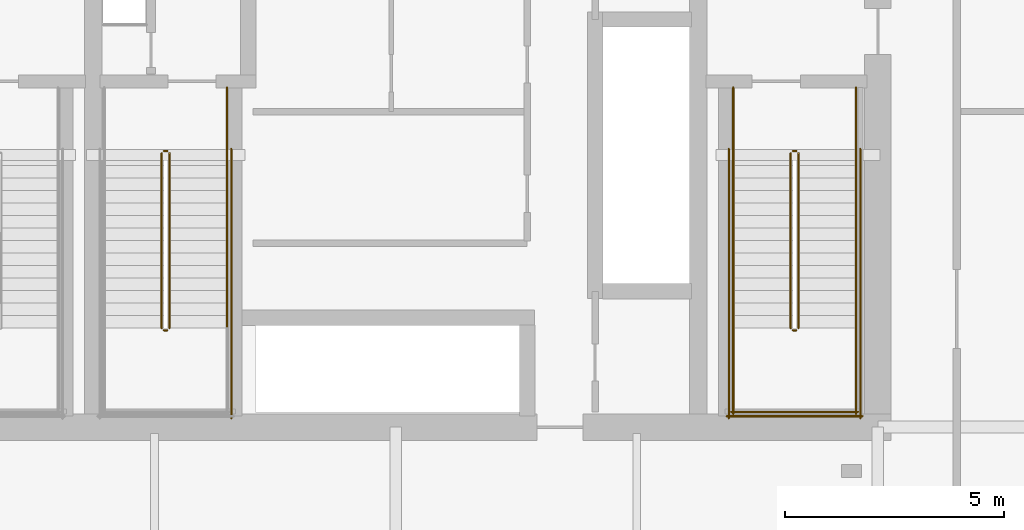
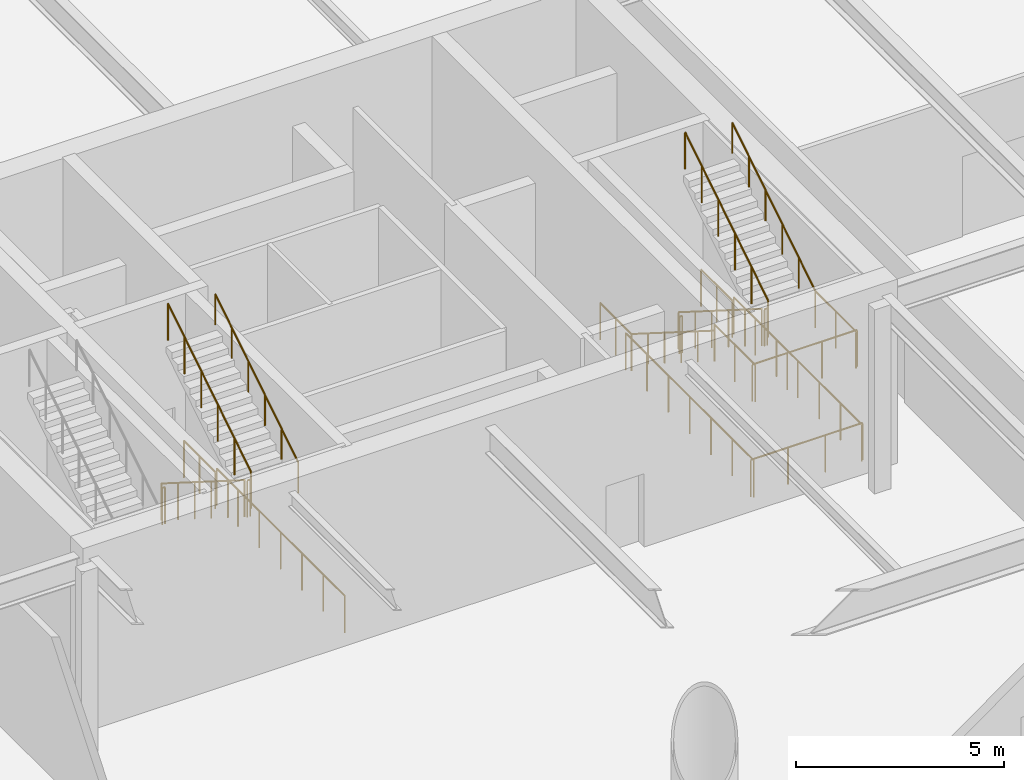
# One storey, part 13 of 16: 21 railings.
"""IFC4 building model written with IfcOpenShell, lengths in metres."""

from ifc_helpers import new_model, si_unit, direction, frame, origin, origin_2d, place, context, subcontext, project, spatial, circle, extrude, material, type_object, element, save


model = new_model("IFC4")

# Units and contexts
model_context = context("Model", 3, precision=1e-05, world=origin(), true_north=direction((0.0, 1.0)))
body_context = subcontext(model_context, "Body", "Model", "MODEL_VIEW")
ifc_project = project(units=[si_unit("LENGTHUNIT", "METRE"), si_unit("AREAUNIT", "SQUARE_METRE"), si_unit("VOLUMEUNIT", "CUBIC_METRE"), si_unit("PLANEANGLEUNIT", "RADIAN"), si_unit("MASSUNIT", "GRAM", prefix="KILO")], contexts=[model_context])

# Site, building, storey
site_placement = place(None, origin())
site = spatial("IfcSite", under=ifc_project, at=site_placement, CompositionType="ELEMENT")
building_placement = place(site_placement, origin())
building = spatial("IfcBuilding", under=site, at=building_placement, Name="Bramvorn Convention Spire", CompositionType="ELEMENT")
storey_placement = place(building_placement, frame((0.0, 0.0, 6.60009765625)))
storey = spatial("IfcBuildingStorey", under=building, at=storey_placement, Name="L01", CompositionType="ELEMENT", Elevation=6.60009765625)

# Railings
ifc_material_1 = material(Name="Painted Steel Balustrade & Guardrail", Category="steel")
railing_type_1 = type_object("IfcRailingType", Name="RL-STAIR-GUARD-1100", PredefinedType="GUARDRAIL", material=ifc_material_1)
railing_1_placement = place(storey_placement, frame((47.010009765625, 25.050048828125, 0.179931640625)))
element("IfcRailing", 1, at=railing_1_placement, inside=storey, type_object=railing_type_1, Name="L01 ST2 stair guard 1", PredefinedType="GUARDRAIL", context=body_context, shape_type="SweptSolid", body=[
    extrude(circle(Radius=0.02392578125, at=origin_2d()), frame((0.0, 0.0, 1.076171875), z_axis=(0.0, -0.845486444383, 0.533996884227), x_axis=(1.0, 0.0, 0.0)), (0.0, 0.0, 1.0), 4.71923828125),
    extrude(circle(Radius=0.02099609375, at=origin_2d()), origin(), (0.0, 0.0, 1.0), 1.052001953125),
    extrude(circle(Radius=0.02099609375, at=origin_2d()), frame((0.0, -0.798095703125, 0.50390625)), (0.0, 0.0, 1.0), 1.052001953125),
    extrude(circle(Radius=0.02099609375, at=origin_2d()), frame((0.0, -1.595947265625, 1.008056640625)), (0.0, 0.0, 1.0), 1.052001953125),
    extrude(circle(Radius=0.02099609375, at=origin_2d()), frame((0.0, -2.39404296875, 1.511962890625)), (0.0, 0.0, 1.0), 1.052001953125),
    extrude(circle(Radius=0.02099609375, at=origin_2d()), frame((0.0, -3.19189453125, 2.01611328125)), (0.0, 0.0, 1.0), 1.052001953125),
    extrude(circle(Radius=0.02099609375, at=origin_2d()), frame((0.0, -3.989990234375, 2.52001953125)), (0.0, 0.0, 1.0), 1.052001953125),
])
railing_2_placement = place(storey_placement, frame((47.06005859375, 21.010009765625, 2.699951171875)))
element("IfcRailing", 2, at=railing_2_placement, inside=storey, type_object=railing_type_1, Name="L01 ST2 stair guard 2", PredefinedType="GUARDRAIL", context=body_context, shape_type="SweptSolid", body=[
    extrude(circle(Radius=0.02392578125, at=origin_2d()), frame((0.0, 0.0, 1.076171875), z_axis=(1.0, 0.0, 0.0), x_axis=(0.0, 1.0, 0.0)), (0.0, 0.0, 1.0), 0.079833984375),
    extrude(circle(Radius=0.02099609375, at=origin_2d()), origin(), (0.0, 0.0, 1.0), 1.052001953125),
    extrude(circle(Radius=0.02099609375, at=origin_2d()), frame((0.079833984375, 0.0, 0.0)), (0.0, 0.0, 1.0), 1.052001953125),
])
for number, where, name in (
    (3, (45.699951171875, 21.06005859375, 2.699951171875), "L01 ST2 stair guard 3"),
    (4, (48.5, 21.06005859375, 2.699951171875), "L01 ST2 stair guard 4"),
):
    element("IfcRailing", number, at=place(storey_placement, frame(where)), inside=storey, type_object=railing_type_1, Name=name, PredefinedType="GUARDRAIL", context=body_context, shape_type="SweptSolid", body=[
        extrude(circle(Radius=0.02392578125, at=origin_2d()), frame((0.0, 0.0, 1.076171875), z_axis=(0.0, -1.0, 0.0), x_axis=(1.0, 0.0, 0.0)), (0.0, 0.0, 1.0), 1.9599609375),
        extrude(circle(Radius=0.02099609375, at=origin_2d()), origin(), (0.0, 0.0, 1.0), 1.052001953125),
        extrude(circle(Radius=0.02099609375, at=origin_2d()), frame((0.0, -0.97998046875, 0.0)), (0.0, 0.0, 1.0), 1.052001953125),
        extrude(circle(Radius=0.02099609375, at=origin_2d()), frame((0.0, -1.9599609375, 0.0)), (0.0, 0.0, 1.0), 1.052001953125),
    ])
railing_3_placement = place(storey_placement, frame((45.64990234375, 19.14990234375, 2.699951171875)))
element("IfcRailing", 5, at=railing_3_placement, inside=storey, type_object=railing_type_1, Name="L01 ST2 stair guard 5", PredefinedType="GUARDRAIL", context=body_context, shape_type="SweptSolid", body=[
    extrude(circle(Radius=0.02392578125, at=origin_2d()), frame((0.0, 0.0, 1.076171875), z_axis=(1.0, 0.0, 0.0), x_axis=(0.0, 1.0, 0.0)), (0.0, 0.0, 1.0), 2.900146484375),
    extrude(circle(Radius=0.02099609375, at=origin_2d()), origin(), (0.0, 0.0, 1.0), 1.052001953125),
    extrude(circle(Radius=0.02099609375, at=origin_2d()), frame((0.966796875, 0.0, 0.0)), (0.0, 0.0, 1.0), 1.052001953125),
    extrude(circle(Radius=0.02099609375, at=origin_2d()), frame((1.933349609375, 0.0, 0.0)), (0.0, 0.0, 1.0), 1.052001953125),
    extrude(circle(Radius=0.02099609375, at=origin_2d()), frame((2.900146484375, 0.0, 0.0)), (0.0, 0.0, 1.0), 1.052001953125),
])
railing_4_placement = place(storey_placement, frame((47.18994140625, 21.06005859375, 2.8798828125)))
element("IfcRailing", 6, at=railing_4_placement, inside=storey, type_object=railing_type_1, Name="L01 ST2 stair guard 6", PredefinedType="GUARDRAIL", context=body_context, shape_type="SweptSolid", body=[
    extrude(circle(Radius=0.02392578125, at=origin_2d()), frame((0.0, 0.0, 1.076171875), z_axis=(0.0, 0.845486444383, 0.533996884227), x_axis=(-1.0, 0.0, 0.0)), (0.0, 0.0, 1.0), 4.71923828125),
    extrude(circle(Radius=0.02099609375, at=origin_2d()), origin(), (0.0, 0.0, 1.0), 1.052001953125),
    extrude(circle(Radius=0.02099609375, at=origin_2d()), frame((0.0, 0.798095703125, 0.50390625)), (0.0, 0.0, 1.0), 1.052001953125),
    extrude(circle(Radius=0.02099609375, at=origin_2d()), frame((0.0, 1.595947265625, 1.008056640625)), (0.0, 0.0, 1.0), 1.052001953125),
    extrude(circle(Radius=0.02099609375, at=origin_2d()), frame((0.0, 2.39404296875, 1.511962890625)), (0.0, 0.0, 1.0), 1.052001953125),
    extrude(circle(Radius=0.02099609375, at=origin_2d()), frame((0.0, 3.19189453125, 2.01611328125)), (0.0, 0.0, 1.0), 1.052001953125),
    extrude(circle(Radius=0.02099609375, at=origin_2d()), frame((0.0, 3.989990234375, 2.52001953125)), (0.0, 0.0, 1.0), 1.052001953125),
])
railing_5_placement = place(storey_placement, frame((47.06005859375, 25.10009765625, 0.0)))
element("IfcRailing", 7, at=railing_5_placement, inside=storey, type_object=railing_type_1, Name="L01 ST2 stair guard 7", PredefinedType="GUARDRAIL", context=body_context, shape_type="SweptSolid", body=[
    extrude(circle(Radius=0.02392578125, at=origin_2d()), frame((0.0, 0.0, 1.076171875), z_axis=(1.0, 0.0, 0.0), x_axis=(0.0, 1.0, 0.0)), (0.0, 0.0, 1.0), 0.079833984375),
    extrude(circle(Radius=0.02099609375, at=origin_2d()), origin(), (0.0, 0.0, 1.0), 1.052001953125),
    extrude(circle(Radius=0.02099609375, at=origin_2d()), frame((0.079833984375, 0.0, 0.0)), (0.0, 0.0, 1.0), 1.052001953125),
])
for number, where, name in (
    (8, (45.699951171875, 26.550048828125, 0.0), "L01 ST2 stair guard 8"),
    (9, (48.5, 26.550048828125, 0.0), "L01 ST2 stair guard 9"),
):
    element("IfcRailing", number, at=place(storey_placement, frame(where)), inside=storey, type_object=railing_type_1, Name=name, PredefinedType="GUARDRAIL", context=body_context, shape_type="SweptSolid", body=[
        extrude(circle(Radius=0.02392578125, at=origin_2d()), frame((0.0, 0.0, 1.076171875), z_axis=(0.0, -1.0, 0.0), x_axis=(1.0, 0.0, 0.0)), (0.0, 0.0, 1.0), 1.5),
        extrude(circle(Radius=0.02099609375, at=origin_2d()), origin(), (0.0, 0.0, 1.0), 1.052001953125),
        extrude(circle(Radius=0.02099609375, at=origin_2d()), frame((0.0, -0.75, 0.0)), (0.0, 0.0, 1.0), 1.052001953125),
        extrude(circle(Radius=0.02099609375, at=origin_2d()), frame((0.0, -1.5, 0.0)), (0.0, 0.0, 1.0), 1.052001953125),
    ])
for number, where, name in (
    (10, (45.60009765625, 25.14990234375, 0.0), "L01 ST2 stair guard 10"),
    (11, (48.60009765625, 25.14990234375, 0.0), "L01 ST2 stair guard 11"),
):
    element("IfcRailing", number, at=place(storey_placement, frame(where)), inside=storey, type_object=railing_type_1, Name=name, PredefinedType="GUARDRAIL", context=body_context, shape_type="SweptSolid", body=[
        extrude(circle(Radius=0.02392578125, at=origin_2d()), frame((0.0, 0.0, 1.076171875), z_axis=(0.0, -1.0, 0.0), x_axis=(1.0, 0.0, 0.0)), (0.0, 0.0, 1.0), 6.14990234375),
        extrude(circle(Radius=0.02099609375, at=origin_2d()), origin(), (0.0, 0.0, 1.0), 1.052001953125),
        extrude(circle(Radius=0.02099609375, at=origin_2d()), frame((0.0, -1.02490234375, 0.0)), (0.0, 0.0, 1.0), 1.052001953125),
        extrude(circle(Radius=0.02099609375, at=origin_2d()), frame((0.0, -2.050048828125, 0.0)), (0.0, 0.0, 1.0), 1.052001953125),
        extrude(circle(Radius=0.02099609375, at=origin_2d()), frame((0.0, -3.074951171875, 0.0)), (0.0, 0.0, 1.0), 1.052001953125),
        extrude(circle(Radius=0.02099609375, at=origin_2d()), frame((0.0, -4.099853515625, 0.0)), (0.0, 0.0, 1.0), 1.052001953125),
        extrude(circle(Radius=0.02099609375, at=origin_2d()), frame((0.0, -5.125, 0.0)), (0.0, 0.0, 1.0), 1.052001953125),
        extrude(circle(Radius=0.02099609375, at=origin_2d()), frame((0.0, -6.14990234375, 0.0)), (0.0, 0.0, 1.0), 1.052001953125),
    ])
railing_6_placement = place(storey_placement, frame((45.550048828125, 19.050048828125, 0.0)))
element("IfcRailing", 12, at=railing_6_placement, inside=storey, type_object=railing_type_1, Name="L01 ST2 stair guard 12", PredefinedType="GUARDRAIL", context=body_context, shape_type="SweptSolid", body=[
    extrude(circle(Radius=0.02392578125, at=origin_2d()), frame((0.0, 0.0, 1.076171875), z_axis=(1.0, 0.0, 0.0), x_axis=(0.0, 1.0, 0.0)), (0.0, 0.0, 1.0), 3.099853515625),
    extrude(circle(Radius=0.02099609375, at=origin_2d()), origin(), (0.0, 0.0, 1.0), 1.052001953125),
    extrude(circle(Radius=0.02099609375, at=origin_2d()), frame((1.033203125, 0.0, 0.0)), (0.0, 0.0, 1.0), 1.052001953125),
    extrude(circle(Radius=0.02099609375, at=origin_2d()), frame((2.066650390625, 0.0, 0.0)), (0.0, 0.0, 1.0), 1.052001953125),
    extrude(circle(Radius=0.02099609375, at=origin_2d()), frame((3.099853515625, 0.0, 0.0)), (0.0, 0.0, 1.0), 1.052001953125),
])
railing_7_placement = place(storey_placement, frame((32.659912109375, 25.050048828125, 0.179931640625)))
element("IfcRailing", 13, at=railing_7_placement, inside=storey, type_object=railing_type_1, Name="L01 ST3 stair guard 1", PredefinedType="GUARDRAIL", context=body_context, shape_type="SweptSolid", body=[
    extrude(circle(Radius=0.02392578125, at=origin_2d()), frame((0.0, 0.0, 1.076171875), z_axis=(0.0, -0.845486444383, 0.533996884227), x_axis=(1.0, 0.0, 0.0)), (0.0, 0.0, 1.0), 4.71923828125),
    extrude(circle(Radius=0.02099609375, at=origin_2d()), origin(), (0.0, 0.0, 1.0), 1.052001953125),
    extrude(circle(Radius=0.02099609375, at=origin_2d()), frame((0.0, -0.798095703125, 0.50390625)), (0.0, 0.0, 1.0), 1.052001953125),
    extrude(circle(Radius=0.02099609375, at=origin_2d()), frame((0.0, -1.595947265625, 1.008056640625)), (0.0, 0.0, 1.0), 1.052001953125),
    extrude(circle(Radius=0.02099609375, at=origin_2d()), frame((0.0, -2.39404296875, 1.511962890625)), (0.0, 0.0, 1.0), 1.052001953125),
    extrude(circle(Radius=0.02099609375, at=origin_2d()), frame((0.0, -3.19189453125, 2.01611328125)), (0.0, 0.0, 1.0), 1.052001953125),
    extrude(circle(Radius=0.02099609375, at=origin_2d()), frame((0.0, -3.989990234375, 2.52001953125)), (0.0, 0.0, 1.0), 1.052001953125),
])
railing_8_placement = place(storey_placement, frame((32.7099609375, 21.010009765625, 2.699951171875)))
element("IfcRailing", 14, at=railing_8_placement, inside=storey, type_object=railing_type_1, Name="L01 ST3 stair guard 2", PredefinedType="GUARDRAIL", context=body_context, shape_type="SweptSolid", body=[
    extrude(circle(Radius=0.02392578125, at=origin_2d()), frame((0.0, 0.0, 1.076171875), z_axis=(1.0, 0.0, 0.0), x_axis=(0.0, 1.0, 0.0)), (0.0, 0.0, 1.0), 0.080078125),
    extrude(circle(Radius=0.02099609375, at=origin_2d()), origin(), (0.0, 0.0, 1.0), 1.052001953125),
    extrude(circle(Radius=0.02099609375, at=origin_2d()), frame((0.080078125, 0.0, 0.0)), (0.0, 0.0, 1.0), 1.052001953125),
])
railing_9_placement = place(storey_placement, frame((32.840087890625, 21.06005859375, 2.8798828125)))
element("IfcRailing", 15, at=railing_9_placement, inside=storey, type_object=railing_type_1, Name="L01 ST3 stair guard 6", PredefinedType="GUARDRAIL", context=body_context, shape_type="SweptSolid", body=[
    extrude(circle(Radius=0.02392578125, at=origin_2d()), frame((0.0, 0.0, 1.076171875), z_axis=(0.0, 0.845486444383, 0.533996884227), x_axis=(-1.0, 0.0, 0.0)), (0.0, 0.0, 1.0), 4.71923828125),
    extrude(circle(Radius=0.02099609375, at=origin_2d()), origin(), (0.0, 0.0, 1.0), 1.052001953125),
    extrude(circle(Radius=0.02099609375, at=origin_2d()), frame((0.0, 0.798095703125, 0.50390625)), (0.0, 0.0, 1.0), 1.052001953125),
    extrude(circle(Radius=0.02099609375, at=origin_2d()), frame((0.0, 1.595947265625, 1.008056640625)), (0.0, 0.0, 1.0), 1.052001953125),
    extrude(circle(Radius=0.02099609375, at=origin_2d()), frame((0.0, 2.39404296875, 1.511962890625)), (0.0, 0.0, 1.0), 1.052001953125),
    extrude(circle(Radius=0.02099609375, at=origin_2d()), frame((0.0, 3.19189453125, 2.01611328125)), (0.0, 0.0, 1.0), 1.052001953125),
    extrude(circle(Radius=0.02099609375, at=origin_2d()), frame((0.0, 3.989990234375, 2.52001953125)), (0.0, 0.0, 1.0), 1.052001953125),
])
railing_10_placement = place(storey_placement, frame((32.7099609375, 25.10009765625, 0.0)))
element("IfcRailing", 16, at=railing_10_placement, inside=storey, type_object=railing_type_1, Name="L01 ST3 stair guard 7", PredefinedType="GUARDRAIL", context=body_context, shape_type="SweptSolid", body=[
    extrude(circle(Radius=0.02392578125, at=origin_2d()), frame((0.0, 0.0, 1.076171875), z_axis=(1.0, 0.0, 0.0), x_axis=(0.0, 1.0, 0.0)), (0.0, 0.0, 1.0), 0.080078125),
    extrude(circle(Radius=0.02099609375, at=origin_2d()), origin(), (0.0, 0.0, 1.0), 1.052001953125),
    extrude(circle(Radius=0.02099609375, at=origin_2d()), frame((0.080078125, 0.0, 0.0)), (0.0, 0.0, 1.0), 1.052001953125),
])
railing_11_placement = place(storey_placement, frame((34.14990234375, 26.550048828125, 0.0)))
element("IfcRailing", 17, at=railing_11_placement, inside=storey, type_object=railing_type_1, Name="L01 ST3 stair guard 9", PredefinedType="GUARDRAIL", context=body_context, shape_type="SweptSolid", body=[
    extrude(circle(Radius=0.02392578125, at=origin_2d()), frame((0.0, 0.0, 1.076171875), z_axis=(0.0, -1.0, 0.0), x_axis=(1.0, 0.0, 0.0)), (0.0, 0.0, 1.0), 1.5),
    extrude(circle(Radius=0.02099609375, at=origin_2d()), origin(), (0.0, 0.0, 1.0), 1.052001953125),
    extrude(circle(Radius=0.02099609375, at=origin_2d()), frame((0.0, -0.75, 0.0)), (0.0, 0.0, 1.0), 1.052001953125),
    extrude(circle(Radius=0.02099609375, at=origin_2d()), frame((0.0, -1.5, 0.0)), (0.0, 0.0, 1.0), 1.052001953125),
])
railing_12_placement = place(storey_placement, frame((34.25, 25.14990234375, 0.0)))
element("IfcRailing", 18, at=railing_12_placement, inside=storey, type_object=railing_type_1, Name="L01 ST3 stair guard 11", PredefinedType="GUARDRAIL", context=body_context, shape_type="SweptSolid", body=[
    extrude(circle(Radius=0.02392578125, at=origin_2d()), frame((0.0, 0.0, 1.076171875), z_axis=(0.0, -1.0, 0.0), x_axis=(1.0, 0.0, 0.0)), (0.0, 0.0, 1.0), 6.14990234375),
    extrude(circle(Radius=0.02099609375, at=origin_2d()), origin(), (0.0, 0.0, 1.0), 1.052001953125),
    extrude(circle(Radius=0.02099609375, at=origin_2d()), frame((0.0, -1.02490234375, 0.0)), (0.0, 0.0, 1.0), 1.052001953125),
    extrude(circle(Radius=0.02099609375, at=origin_2d()), frame((0.0, -2.050048828125, 0.0)), (0.0, 0.0, 1.0), 1.052001953125),
    extrude(circle(Radius=0.02099609375, at=origin_2d()), frame((0.0, -3.074951171875, 0.0)), (0.0, 0.0, 1.0), 1.052001953125),
    extrude(circle(Radius=0.02099609375, at=origin_2d()), frame((0.0, -4.099853515625, 0.0)), (0.0, 0.0, 1.0), 1.052001953125),
    extrude(circle(Radius=0.02099609375, at=origin_2d()), frame((0.0, -5.125, 0.0)), (0.0, 0.0, 1.0), 1.052001953125),
    extrude(circle(Radius=0.02099609375, at=origin_2d()), frame((0.0, -6.14990234375, 0.0)), (0.0, 0.0, 1.0), 1.052001953125),
])
ifc_material_2 = material(Name="Brushed Bronze Tubular Handrail", Category="aluminium")
railing_type_2 = type_object("IfcRailingType", Name="RL-STAIR-HR-920", PredefinedType="HANDRAIL", material=ifc_material_2)
railing_13_placement = place(storey_placement, frame((45.699951171875, 25.050048828125, 0.179931640625)))
element("IfcRailing", 19, at=railing_13_placement, inside=storey, type_object=railing_type_2, Name="L01 ST2 stair handrail 1", PredefinedType="HANDRAIL", context=body_context, shape_type="SweptSolid", body=[
    extrude(circle(Radius=0.02392578125, at=origin_2d()), frame((0.0, 0.0, 0.89599609375), z_axis=(0.0, -0.845486444383, 0.533996884227), x_axis=(1.0, 0.0, 0.0)), (0.0, 0.0, 1.0), 4.71923828125),
    extrude(circle(Radius=0.02099609375, at=origin_2d()), origin(), (0.0, 0.0, 1.0), 0.871826171875),
    extrude(circle(Radius=0.02099609375, at=origin_2d()), frame((0.0, -0.798095703125, 0.50390625)), (0.0, 0.0, 1.0), 0.871826171875),
    extrude(circle(Radius=0.02099609375, at=origin_2d()), frame((0.0, -1.595947265625, 1.008056640625)), (0.0, 0.0, 1.0), 0.871826171875),
    extrude(circle(Radius=0.02099609375, at=origin_2d()), frame((0.0, -2.39404296875, 1.511962890625)), (0.0, 0.0, 1.0), 0.871826171875),
    extrude(circle(Radius=0.02099609375, at=origin_2d()), frame((0.0, -3.19189453125, 2.01611328125)), (0.0, 0.0, 1.0), 0.871826171875),
    extrude(circle(Radius=0.02099609375, at=origin_2d()), frame((0.0, -3.989990234375, 2.52001953125)), (0.0, 0.0, 1.0), 0.871826171875),
])
for number, where, name in (
    (20, (48.5, 21.06005859375, 2.8798828125), "L01 ST2 stair handrail 2"),
    (21, (34.14990234375, 21.06005859375, 2.8798828125), "L01 ST3 stair handrail 2"),
):
    element("IfcRailing", number, at=place(storey_placement, frame(where)), inside=storey, type_object=railing_type_2, Name=name, PredefinedType="HANDRAIL", context=body_context, shape_type="SweptSolid", body=[
        extrude(circle(Radius=0.02392578125, at=origin_2d()), frame((0.0, 0.0, 0.89599609375), z_axis=(0.0, 0.845486444383, 0.533996884227), x_axis=(-1.0, 0.0, 0.0)), (0.0, 0.0, 1.0), 4.71923828125),
        extrude(circle(Radius=0.02099609375, at=origin_2d()), origin(), (0.0, 0.0, 1.0), 0.871826171875),
        extrude(circle(Radius=0.02099609375, at=origin_2d()), frame((0.0, 0.798095703125, 0.50390625)), (0.0, 0.0, 1.0), 0.871826171875),
        extrude(circle(Radius=0.02099609375, at=origin_2d()), frame((0.0, 1.595947265625, 1.008056640625)), (0.0, 0.0, 1.0), 0.871826171875),
        extrude(circle(Radius=0.02099609375, at=origin_2d()), frame((0.0, 2.39404296875, 1.511962890625)), (0.0, 0.0, 1.0), 0.871826171875),
        extrude(circle(Radius=0.02099609375, at=origin_2d()), frame((0.0, 3.19189453125, 2.01611328125)), (0.0, 0.0, 1.0), 0.871826171875),
        extrude(circle(Radius=0.02099609375, at=origin_2d()), frame((0.0, 3.989990234375, 2.52001953125)), (0.0, 0.0, 1.0), 0.871826171875),
    ])

save(model, "model.ifc")
